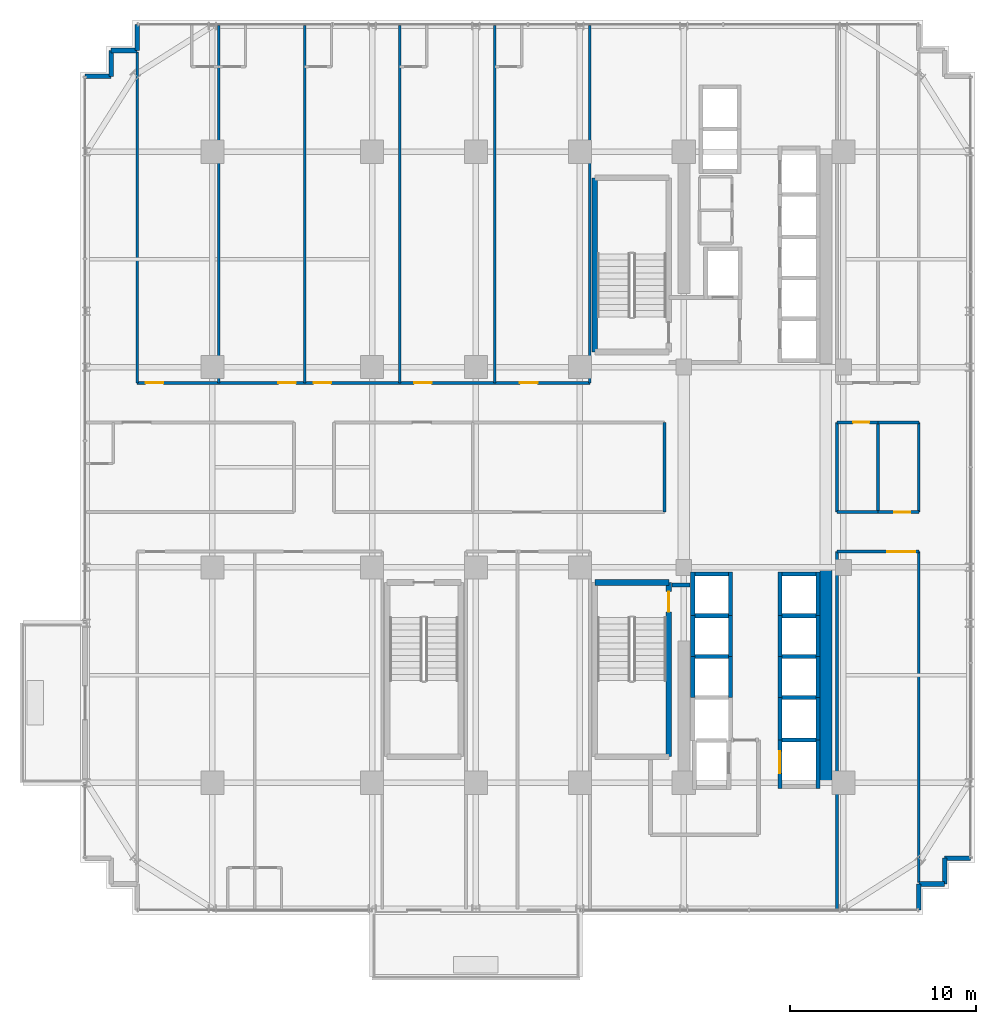
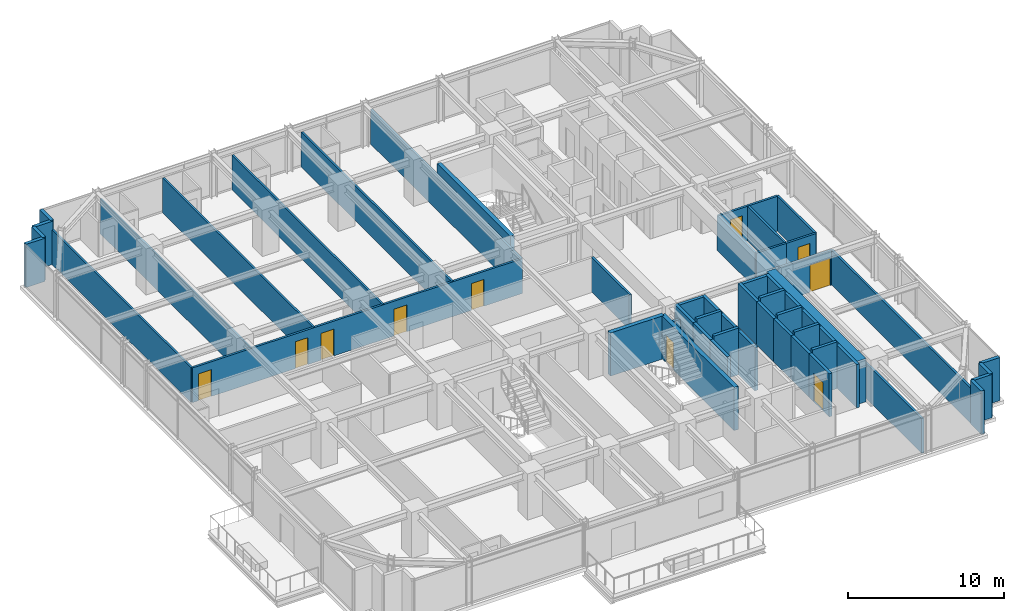
# One storey, part 26 of 31: 55 walls, 10 doors, 10 openings.
"""IFC4 building model written with IfcOpenShell, lengths in metres."""

from ifc_helpers import new_model, si_unit, direction, frame, frame_2d, origin, place, context, subcontext, project, spatial, rectangle, extrude, source, transform, mapped, material, layer, layer_set, type_object, element, fill, save


model = new_model("IFC4")

# Units and contexts
model_context = context("Model", 3, precision=1e-05, world=origin(), true_north=direction((0.0, 1.0)))
body_context = subcontext(model_context, "Body", "Model", "MODEL_VIEW")
ifc_project = project(units=[si_unit("LENGTHUNIT", "METRE"), si_unit("AREAUNIT", "SQUARE_METRE"), si_unit("VOLUMEUNIT", "CUBIC_METRE"), si_unit("PLANEANGLEUNIT", "RADIAN"), si_unit("MASSUNIT", "GRAM", prefix="KILO")], contexts=[model_context])

# Site, building, storey
site_placement = place(None, origin())
site = spatial("IfcSite", under=ifc_project, at=site_placement, CompositionType="ELEMENT")
building_placement = place(site_placement, origin())
building = spatial("IfcBuilding", under=site, at=building_placement, Name="Nahalor Promenade Grand Hotel", CompositionType="ELEMENT")
storey_placement = place(building_placement, frame((0.0, 0.0, 95.60009765625)))
storey = spatial("IfcBuildingStorey", under=building, at=storey_placement, Name="L23", CompositionType="ELEMENT", Elevation=95.60009765625)

# Walls
ifc_material_1 = material(Name="Concrete B-60 (C50/60)", Category="concrete")
ifc_layer_1 = layer(ifc_material_1, 0.64990234375)
ifc_layer_set_1 = layer_set([ifc_layer_1], Name="Concrete B-60 (C50/60)")
wall_type_1 = type_object("IfcWallType", Name="Wall-CoreShear-650", PredefinedType="SHEAR", material=ifc_layer_set_1)
shared_shape_1 = source(origin(), body_context, "Body", "SweptSolid", [
    extrude(rectangle(XDim=11.60009765625, YDim=0.64990234375, at=frame_2d((5.800048828125, 0.0))), origin(), (0.0, 0.0, 1.0), 3.3798828125),
])
wall_1_placement = place(storey_placement, frame((16.050048828125, -17.0, 0.0), z_axis=(0.0, 0.0, 1.0), x_axis=(0.0, 1.0, 0.0)))
element("IfcWall", 1, at=wall_1_placement, inside=storey, type_object=wall_type_1, Name="CWALL-L23-SE", PredefinedType="SHEAR", context=body_context, shape_type="MappedRepresentation", body=[
    mapped(shared_shape_1, transform((0.0, 0.0, 0.0), scale=1.0)),
])
ifc_material_2 = material(Name="Concrete B-50 (C40/50)", Category="concrete")
ifc_layer_2 = layer(ifc_material_2, 0.300048828125)
ifc_layer_set_2 = layer_set([ifc_layer_2], Name="Concrete B-50 (C40/50)")
wall_type_2 = type_object("IfcWallType", Name="Wall-ShaftShear-300", PredefinedType="SHEAR", material=ifc_layer_set_2)
shared_shape_2 = source(origin(), body_context, "Body", "SweptSolid", [
    extrude(rectangle(XDim=3.97998046875, YDim=0.300048828125, at=frame_2d((1.989990234375, 0.0))), origin(), (0.0, 0.0, 1.0), 3.3798828125),
])
wall_2_placement = place(storey_placement, frame((3.610107421875, -6.2099609375, 0.0), z_axis=(0.0, 0.0, 1.0), x_axis=(1.0, 0.0, 0.0)))
element("IfcWall", 2, at=wall_2_placement, inside=storey, type_object=wall_type_2, Name="L23 Exit Stair ST2 Shaft Wall N", PredefinedType="SHEAR", context=body_context, shape_type="MappedRepresentation", body=[
    mapped(shared_shape_2, transform((0.0, 0.0, 0.0), scale=1.0)),
])
shared_shape_3 = source(origin(), body_context, "Body", "SweptSolid", [
    extrude(rectangle(XDim=9.380126953125, YDim=0.300048828125, at=frame_2d((4.68994140625, 0.0))), origin(), (0.0, 0.0, 1.0), 3.3798828125),
])
wall_3_placement = place(storey_placement, frame((3.610107421875, 6.2099609375, 0.0), z_axis=(0.0, 0.0, 1.0), x_axis=(0.0, 1.0, 0.0)))
element("IfcWall", 3, at=wall_3_placement, inside=storey, type_object=wall_type_2, Name="L23 Exit Stair ST1 Shaft Wall W", PredefinedType="SHEAR", context=body_context, shape_type="MappedRepresentation", body=[
    mapped(shared_shape_3, transform((0.0, 0.0, 0.0), scale=1.0)),
])

# Wall, opening, door
wall_4_placement = place(storey_placement, frame((7.590087890625, -15.590087890625, 0.0), z_axis=(0.0, 0.0, 1.0), x_axis=(0.0, 1.0, 0.0)))
wall_4 = element("IfcWall", 4, at=wall_4_placement, inside=storey, type_object=wall_type_2, Name="L23 Exit Stair ST2 Shaft Wall E", PredefinedType="SHEAR", context=body_context, shape_type="MappedRepresentation", body=[
    mapped(shared_shape_3, transform((0.0, 0.0, 0.0), scale=1.0)),
])
opening_1_placement = place(wall_4_placement, frame((7.7900390625, 0.0, 0.0)))
opening_1 = element("IfcOpeningElement", 5, at=opening_1_placement, cuts=wall_4, Name="Opening D-ST1", PredefinedType="OPENING", context=body_context, shape_type="SweptSolid", body=[
    extrude(rectangle(XDim=1.10009765625, YDim=2.14990234375, at=frame_2d((0.550048828125, 1.074951171875))), frame((0.0, 0.159912109375, 0.0), z_axis=(0.0, -1.0, 0.0), x_axis=(1.0, 0.0, 0.0)), (0.0, 0.0, 1.0), 0.320068359375),
])
ifc_material_3 = material(Name="Steel S355JR", Category="steel")
door_type_1 = type_object("IfcDoorType", Name="Door-StairFire-1100", OperationType="NOTDEFINED", PredefinedType="DOOR", material=ifc_material_3)
shared_shape_4 = source(origin(), body_context, "Body", "SweptSolid", [
    extrude(rectangle(XDim=1.10009765625, YDim=2.14990234375, at=frame_2d((0.550048828125, 1.074951171875))), frame((0.0, 0.02490234375, 0.0), z_axis=(0.0, -1.0, 0.0), x_axis=(1.0, 0.0, 0.0)), (0.0, 0.0, 1.0), 0.050048828125),
])
door_1_placement = place(opening_1_placement, origin())
door_1 = element("IfcDoor", 6, at=door_1_placement, inside=storey, type_object=door_type_1, Name="DR-STAIR-ST2-L23", OperationType="SINGLE_SWING_RIGHT", OverallHeight=2.14990234375, OverallWidth=1.10009765625, PredefinedType="DOOR", context=body_context, shape_type="MappedRepresentation", body=[
    mapped(shared_shape_4, transform((0.0, 0.0, 0.0), scale=1.0)),
])
fill(opening_1, door_1)

# Walls
ifc_layer_3 = layer(ifc_material_2, 0.219970703125)
ifc_layer_set_3 = layer_set([ifc_layer_3], Name="Concrete B-50 (C40/50)")
wall_type_3 = type_object("IfcWallType", Name="Wall-LiftShaft-220", PredefinedType="SHEAR", material=ifc_layer_set_3)
shared_shape_5 = source(origin(), body_context, "Body", "SweptSolid", [
    extrude(rectangle(XDim=1.820068359375, YDim=0.219970703125, at=frame_2d((0.91015625, 0.0))), origin(), (0.0, 0.0, 1.0), 3.64990234375),
])
for number, where, z_axis, x_axis, name in (
    (7, (13.68994140625, -8.0, 0.0), (0.0, 0.0, 1.0), (1.0, 0.0, 0.0), "L23 Lift PL6 Hoistway Wall N"),
    (8, (13.68994140625, -10.199951171875, 0.0), (0.0, 0.0, 1.0), (1.0, 0.0, 0.0), "L23 Lift PL7 Hoistway Wall N"),
    (9, (13.68994140625, -12.39990234375, 0.0), (0.0, 0.0, 1.0), (1.0, 0.0, 0.0), "L23 Lift PL8 Hoistway Wall N"),
    (10, (8.989990234375, -8.0, 0.0), (0.0, 0.0, 1.0), (1.0, 0.0, 0.0), "L23 Lift PL10 Hoistway Wall N"),
    (11, (8.989990234375, -10.199951171875, 0.0), (0.0, 0.0, 1.0), (1.0, 0.0, 0.0), "L23 Lift PL11 Hoistway Wall N"),
    (12, (13.68994140625, -14.699951171875, 0.0), (0.0, 0.0, 1.0), (1.0, 0.0, 0.0), "L23 Lift SV2 Hoistway Wall N"),
):
    element("IfcWall", number, at=place(storey_placement, frame(where, z_axis=z_axis, x_axis=x_axis)), inside=storey, type_object=wall_type_3, Name=name, PredefinedType="SHEAR", context=body_context, shape_type="MappedRepresentation", body=[
        mapped(shared_shape_5, transform((0.0, 0.0, 0.0), scale=1.0)),
    ])
shared_shape_6 = source(origin(), body_context, "Body", "SweptSolid", [
    extrude(rectangle(XDim=2.360107421875, YDim=0.219970703125, at=frame_2d((1.18017578125, 0.0))), origin(), (0.0, 0.0, 1.0), 3.3798828125),
])
for number, where, z_axis, x_axis, name in (
    (13, (13.580078125, -8.0, 0.0), (0.0, 0.0, 1.0), (0.0, 1.0, 0.0), "L23 Lift PL5 Hoistway Wall W"),
    (14, (15.6201171875, -8.0, 0.0), (0.0, 0.0, 1.0), (0.0, 1.0, 0.0), "L23 Lift PL5 Hoistway Wall E"),
    (15, (8.8798828125, -8.0, 0.0), (0.0, 0.0, 1.0), (0.0, 1.0, 0.0), "L23 Lift PL9 Hoistway Wall W"),
    (16, (10.919921875, -8.0, 0.0), (0.0, 0.0, 1.0), (0.0, 1.0, 0.0), "L23 Lift PL9 Hoistway Wall E"),
):
    element("IfcWall", number, at=place(storey_placement, frame(where, z_axis=z_axis, x_axis=x_axis)), inside=storey, type_object=wall_type_3, Name=name, PredefinedType="SHEAR", context=body_context, shape_type="MappedRepresentation", body=[
        mapped(shared_shape_6, transform((0.0, 0.0, 0.0), scale=1.0)),
    ])
shared_shape_7 = source(origin(), body_context, "Body", "SweptSolid", [
    extrude(rectangle(XDim=1.820068359375, YDim=0.219970703125, at=frame_2d((0.91015625, 0.0))), origin(), (0.0, 0.0, 1.0), 3.3798828125),
])
for number, where, z_axis, x_axis, name in (
    (17, (13.68994140625, -5.75, 0.0), (0.0, 0.0, 1.0), (1.0, 0.0, 0.0), "L23 Lift PL5 Hoistway Wall N"),
    (18, (8.989990234375, -5.75, 0.0), (0.0, 0.0, 1.0), (1.0, 0.0, 0.0), "L23 Lift PL9 Hoistway Wall N"),
):
    element("IfcWall", number, at=place(storey_placement, frame(where, z_axis=z_axis, x_axis=x_axis)), inside=storey, type_object=wall_type_3, Name=name, PredefinedType="SHEAR", context=body_context, shape_type="MappedRepresentation", body=[
        mapped(shared_shape_7, transform((0.0, 0.0, 0.0), scale=1.0)),
    ])
shared_shape_8 = source(origin(), body_context, "Body", "SweptSolid", [
    extrude(rectangle(XDim=2.199951171875, YDim=0.219970703125, at=frame_2d((1.10009765625, 0.0))), origin(), (0.0, 0.0, 1.0), 3.3798828125),
])
for number, where, z_axis, x_axis, name in (
    (19, (13.580078125, -10.199951171875, 0.0), (0.0, 0.0, 1.0), (0.0, 1.0, 0.0), "L23 Lift PL6 Hoistway Wall W"),
    (20, (15.6201171875, -10.199951171875, 0.0), (0.0, 0.0, 1.0), (0.0, 1.0, 0.0), "L23 Lift PL6 Hoistway Wall E"),
    (21, (13.580078125, -12.39990234375, 0.0), (0.0, 0.0, 1.0), (0.0, 1.0, 0.0), "L23 Lift PL7 Hoistway Wall W"),
    (22, (15.6201171875, -12.39990234375, 0.0), (0.0, 0.0, 1.0), (0.0, 1.0, 0.0), "L23 Lift PL7 Hoistway Wall E"),
    (23, (8.8798828125, -10.199951171875, 0.0), (0.0, 0.0, 1.0), (0.0, 1.0, 0.0), "L23 Lift PL10 Hoistway Wall W"),
    (24, (10.919921875, -10.199951171875, 0.0), (0.0, 0.0, 1.0), (0.0, 1.0, 0.0), "L23 Lift PL10 Hoistway Wall E"),
    (25, (8.8798828125, -12.39990234375, 0.0), (0.0, 0.0, 1.0), (0.0, 1.0, 0.0), "L23 Lift PL11 Hoistway Wall W"),
    (26, (10.919921875, -12.39990234375, 0.0), (0.0, 0.0, 1.0), (0.0, 1.0, 0.0), "L23 Lift PL11 Hoistway Wall E"),
):
    element("IfcWall", number, at=place(storey_placement, frame(where, z_axis=z_axis, x_axis=x_axis)), inside=storey, type_object=wall_type_3, Name=name, PredefinedType="SHEAR", context=body_context, shape_type="MappedRepresentation", body=[
        mapped(shared_shape_8, transform((0.0, 0.0, 0.0), scale=1.0)),
    ])
shared_shape_9 = source(origin(), body_context, "Body", "SweptSolid", [
    extrude(rectangle(XDim=2.300048828125, YDim=0.219970703125, at=frame_2d((1.14990234375, 0.0))), origin(), (0.0, 0.0, 1.0), 3.3798828125),
])
for number, where, z_axis, x_axis, name in (
    (27, (13.580078125, -14.699951171875, 0.0), (0.0, 0.0, 1.0), (0.0, 1.0, 0.0), "L23 Lift PL8 Hoistway Wall W"),
    (28, (15.6201171875, -14.699951171875, 0.0), (0.0, 0.0, 1.0), (0.0, 1.0, 0.0), "L23 Lift PL8 Hoistway Wall E"),
):
    element("IfcWall", number, at=place(storey_placement, frame(where, z_axis=z_axis, x_axis=x_axis)), inside=storey, type_object=wall_type_3, Name=name, PredefinedType="SHEAR", context=body_context, shape_type="MappedRepresentation", body=[
        mapped(shared_shape_9, transform((0.0, 0.0, 0.0), scale=1.0)),
    ])

# Wall, opening, door
shared_shape_10 = source(origin(), body_context, "Body", "SweptSolid", [
    extrude(rectangle(XDim=2.610107421875, YDim=0.219970703125, at=frame_2d((1.30517578125, 0.0))), origin(), (0.0, 0.0, 1.0), 3.3798828125),
])
wall_5_placement = place(storey_placement, frame((13.580078125, -17.31005859375, 0.0), z_axis=(0.0, 0.0, 1.0), x_axis=(0.0, 1.0, 0.0)))
wall_5 = element("IfcWall", 29, at=wall_5_placement, inside=storey, type_object=wall_type_3, Name="L23 Lift SV2 Hoistway Wall W", PredefinedType="SHEAR", context=body_context, shape_type="MappedRepresentation", body=[
    mapped(shared_shape_10, transform((0.0, 0.0, 0.0), scale=1.0)),
])
opening_2_placement = place(wall_5_placement, frame((0.81005859375, 0.0, 0.0)))
opening_2 = element("IfcOpeningElement", 30, at=opening_2_placement, cuts=wall_5, Name="Opening LD-03", PredefinedType="OPENING", context=body_context, shape_type="SweptSolid", body=[
    extrude(rectangle(XDim=1.199951171875, YDim=2.199951171875, at=frame_2d((0.60009765625, 1.10009765625))), frame((0.0, 0.119873046875, 0.0), z_axis=(0.0, -1.0, 0.0), x_axis=(1.0, 0.0, 0.0)), (0.0, 0.0, 1.0), 0.239990234375),
])
door_type_2 = type_object("IfcDoorType", Name="Door-LiftService-1200", OperationType="DOUBLE_DOOR_SLIDING", PredefinedType="DOOR", material=ifc_material_3)
shared_shape_11 = source(origin(), body_context, "Body", "SweptSolid", [
    extrude(rectangle(XDim=1.199951171875, YDim=2.199951171875, at=frame_2d((0.60009765625, 1.10009765625))), frame((0.0, 0.02490234375, 0.0), z_axis=(0.0, -1.0, 0.0), x_axis=(1.0, 0.0, 0.0)), (0.0, 0.0, 1.0), 0.050048828125),
])
door_2_placement = place(opening_2_placement, origin())
door_2 = element("IfcDoor", 31, at=door_2_placement, inside=storey, type_object=door_type_2, Name="DR-LIFT-SV2-L23", OperationType="DOUBLE_DOOR_SLIDING", OverallHeight=2.199951171875, OverallWidth=1.199951171875, PredefinedType="DOOR", context=body_context, shape_type="MappedRepresentation", body=[
    mapped(shared_shape_11, transform((0.0, 0.0, 0.0), scale=1.0)),
])
fill(opening_2, door_2)

# Walls
wall_6_placement = place(storey_placement, frame((15.6201171875, -17.31005859375, 0.0), z_axis=(0.0, 0.0, 1.0), x_axis=(0.0, 1.0, 0.0)))
element("IfcWall", 32, at=wall_6_placement, inside=storey, type_object=wall_type_3, Name="L23 Lift SV2 Hoistway Wall E", PredefinedType="SHEAR", context=body_context, shape_type="MappedRepresentation", body=[
    mapped(shared_shape_10, transform((0.0, 0.0, 0.0), scale=1.0)),
])
ifc_material_4 = material(Name="Concrete B-40 (C32/40)", Category="concrete")
ifc_layer_4 = layer(ifc_material_4, 0.25)
ifc_layer_set_4 = layer_set([ifc_layer_4], Name="Concrete B-40 (C32/40)")
wall_type_4 = type_object("IfcWallType", Name="Wall-BronzePier-250", PredefinedType="STANDARD", material=ifc_layer_set_4)
shared_shape_12 = source(origin(), body_context, "Body", "SweptSolid", [
    extrude(rectangle(XDim=1.400146484375, YDim=0.25, at=frame_2d((0.7001953125, 0.0))), origin(), (0.0, 0.0, 1.0), 3.3798828125),
])
for number, where, z_axis, x_axis, name in (
    (33, (21.06005859375, -23.860107421875, 0.0), (0.0, 0.0, 1.0), (0.0, 1.0, 0.0), "W-L23-SR-01"),
    (34, (22.4599609375, -21.06005859375, 0.0), (0.0, 0.0, 1.0), (1.0, 0.0, 0.0), "W-L23-SR-04"),
    (35, (-21.06005859375, 22.4599609375, 0.0), (0.0, 0.0, 1.0), (0.0, 1.0, 0.0), "W-L23-SR-09"),
    (36, (-23.860107421875, 21.06005859375, 0.0), (0.0, 0.0, 1.0), (1.0, 0.0, 0.0), "W-L23-SR-12"),
):
    element("IfcWall", number, at=place(storey_placement, frame(where, z_axis=z_axis, x_axis=x_axis)), inside=storey, type_object=wall_type_4, Name=name, PredefinedType="STANDARD", context=body_context, shape_type="MappedRepresentation", body=[
        mapped(shared_shape_12, transform((0.0, 0.0, 0.0), scale=1.0)),
    ])
shared_shape_13 = source(origin(), body_context, "Body", "SweptSolid", [
    extrude(rectangle(XDim=1.39990234375, YDim=0.25, at=frame_2d((0.699951171875, 0.0))), origin(), (0.0, 0.0, 1.0), 3.3798828125),
])
for number, where, z_axis, x_axis, name in (
    (37, (21.06005859375, -22.4599609375, 0.0), (0.0, 0.0, 1.0), (1.0, 0.0, 0.0), "W-L23-SR-02"),
    (38, (22.4599609375, -22.4599609375, 0.0), (0.0, 0.0, 1.0), (0.0, 1.0, 0.0), "W-L23-SR-03"),
    (39, (-22.4599609375, 22.4599609375, 0.0), (0.0, 0.0, 1.0), (1.0, 0.0, 0.0), "W-L23-SR-10"),
    (40, (-22.4599609375, 21.06005859375, 0.0), (0.0, 0.0, 1.0), (0.0, 1.0, 0.0), "W-L23-SR-11"),
):
    element("IfcWall", number, at=place(storey_placement, frame(where, z_axis=z_axis, x_axis=x_axis)), inside=storey, type_object=wall_type_4, Name=name, PredefinedType="STANDARD", context=body_context, shape_type="MappedRepresentation", body=[
        mapped(shared_shape_13, transform((0.0, 0.0, 0.0), scale=1.0)),
    ])
ifc_layer_5 = layer(ifc_material_4, 0.199951171875)
ifc_layer_set_5 = layer_set([ifc_layer_5], Name="Concrete B-40 (C32/40)")
wall_type_5 = type_object("IfcWallType", Name="Wall-PartFire-200", PredefinedType="PARTITIONING", material=ifc_layer_set_5)
shared_shape_14 = source(origin(), body_context, "Body", "SweptSolid", [
    extrude(rectangle(XDim=0.969970703125, YDim=0.199951171875, at=frame_2d((0.48486328125, 0.0))), origin(), (0.0, 0.0, 1.0), 2.719970703125),
])
wall_7_placement = place(storey_placement, frame((7.77001953125, -6.35009765625, 0.0), z_axis=(0.0, 0.0, 1.0), x_axis=(1.0, 0.0, 0.0)))
element("IfcWall", 41, at=wall_7_placement, inside=storey, type_object=wall_type_5, Name="W-L23-FF2-N2", PredefinedType="PARTITIONING", context=body_context, shape_type="MappedRepresentation", body=[
    mapped(shared_shape_14, transform((0.0, 0.0, 0.0), scale=1.0)),
])

# Wall, opening, door
ifc_material_5 = material(Name="Acoustic Mineral Gypsum", Category="gypsum")
ifc_layer_6 = layer(ifc_material_5, 0.159912109375)
ifc_layer_set_6 = layer_set([ifc_layer_6], Name="Acoustic Mineral Gypsum")
wall_type_6 = type_object("IfcWallType", Name="Wall-PartCorridor-160", PredefinedType="PARTITIONING", material=ifc_layer_set_6)
shared_shape_15 = source(origin(), body_context, "Body", "SweptSolid", [
    extrude(rectangle(XDim=4.41015625, YDim=0.159912109375, at=frame_2d((2.205078125, 0.0))), origin(), (0.0, 0.0, 1.0), 2.719970703125),
])
wall_8_placement = place(storey_placement, frame((16.64990234375, -4.550048828125, 0.0), z_axis=(0.0, 0.0, 1.0), x_axis=(1.0, 0.0, 0.0)))
wall_8 = element("IfcWall", 42, at=wall_8_placement, inside=storey, type_object=wall_type_6, Name="W-L23-ESE-N", PredefinedType="PARTITIONING", context=body_context, shape_type="MappedRepresentation", body=[
    mapped(shared_shape_15, transform((0.0, 0.0, 0.0), scale=1.0)),
])
opening_3_placement = place(wall_8_placement, frame((2.721923828125, 0.0, 0.0)))
opening_3 = element("IfcOpeningElement", 43, at=opening_3_placement, cuts=wall_8, Name="Opening D-02", PredefinedType="OPENING", context=body_context, shape_type="SweptSolid", body=[
    extrude(rectangle(XDim=1.5, YDim=2.14990234375, at=frame_2d((0.75, 1.074951171875))), frame((0.0, 0.08984375, 0.0), z_axis=(0.0, -1.0, 0.0), x_axis=(1.0, 0.0, 0.0)), (0.0, 0.0, 1.0), 0.179931640625),
])
ifc_material_6 = material(Name="Fire-Rated Timber Composite", Category="wood")
door_type_3 = type_object("IfcDoorType", Name="Door-SuiteDouble-1500", OperationType="DOUBLE_DOOR_SINGLE_SWING", PredefinedType="DOOR", material=ifc_material_6)
shared_shape_16 = source(origin(), body_context, "Body", "SweptSolid", [
    extrude(rectangle(XDim=1.5, YDim=2.14990234375, at=frame_2d((0.75, 1.074951171875))), frame((0.0, 0.02490234375, 0.0), z_axis=(0.0, -1.0, 0.0), x_axis=(1.0, 0.0, 0.0)), (0.0, 0.0, 1.0), 0.050048828125),
])
door_3_placement = place(opening_3_placement, frame((1.5, 0.0, 0.0), z_axis=(0.0, 0.0, 1.0), x_axis=(-1.0, 0.0, 0.0)))
door_3 = element("IfcDoor", 44, at=door_3_placement, inside=storey, type_object=door_type_3, Name="DR-L23-ESE", OperationType="DOUBLE_DOOR_SINGLE_SWING", OverallHeight=2.14990234375, OverallWidth=1.5, PredefinedType="DOOR", context=body_context, shape_type="MappedRepresentation", body=[
    mapped(shared_shape_16, transform((0.0, 0.0, 0.0), scale=1.0)),
])
fill(opening_3, door_3)

# Walls
shared_shape_17 = source(origin(), body_context, "Body", "SweptSolid", [
    extrude(rectangle(XDim=19.25, YDim=0.159912109375, at=frame_2d((9.625, 0.0))), origin(), (0.0, 0.0, 1.0), 2.719970703125),
])
wall_9_placement = place(storey_placement, frame((16.64990234375, -23.800048828125, 0.0), z_axis=(0.0, 0.0, 1.0), x_axis=(0.0, 1.0, 0.0)))
element("IfcWall", 45, at=wall_9_placement, inside=storey, type_object=wall_type_6, Name="W-L23-ESE-W", PredefinedType="PARTITIONING", context=body_context, shape_type="MappedRepresentation", body=[
    mapped(shared_shape_17, transform((0.0, 0.0, 0.0), scale=1.0)),
])
shared_shape_18 = source(origin(), body_context, "Body", "SweptSolid", [
    extrude(rectangle(XDim=17.829833984375, YDim=0.159912109375, at=frame_2d((8.9150390625, 0.0))), origin(), (0.0, 0.0, 1.0), 2.719970703125),
])
wall_10_placement = place(storey_placement, frame((21.06005859375, -22.3798828125, 0.0), z_axis=(0.0, 0.0, 1.0), x_axis=(0.0, 1.0, 0.0)))
element("IfcWall", 46, at=wall_10_placement, inside=storey, type_object=wall_type_6, Name="W-L23-ESE-E", PredefinedType="PARTITIONING", context=body_context, shape_type="MappedRepresentation", body=[
    mapped(shared_shape_18, transform((0.0, 0.0, 0.0), scale=1.0)),
])

# Wall, openings, doors
shared_shape_19 = source(origin(), body_context, "Body", "SweptSolid", [
    extrude(rectangle(XDim=24.400146484375, YDim=0.159912109375, at=frame_2d((12.2001953125, 0.0))), origin(), (0.0, 0.0, 1.0), 2.719970703125),
])
wall_11_placement = place(storey_placement, frame((-21.06005859375, 4.550048828125, 0.0), z_axis=(0.0, 0.0, 1.0), x_axis=(1.0, 0.0, 0.0)))
wall_11 = element("IfcWall", 47, at=wall_11_placement, inside=storey, type_object=wall_type_6, Name="W-L23-CORR-N", PredefinedType="PARTITIONING", context=body_context, shape_type="MappedRepresentation", body=[
    mapped(shared_shape_19, transform((0.0, 0.0, 0.0), scale=1.0)),
])
opening_4_placement = place(wall_11_placement, frame((0.4619140625, 0.0, 0.0)))
opening_4 = element("IfcOpeningElement", 48, at=opening_4_placement, cuts=wall_11, Name="Opening D-01", PredefinedType="OPENING", context=body_context, shape_type="SweptSolid", body=[
    extrude(rectangle(XDim=0.949951171875, YDim=2.10009765625, at=frame_2d((0.47509765625, 1.050048828125))), frame((0.0, 0.08984375, 0.0), z_axis=(0.0, -1.0, 0.0), x_axis=(1.0, 0.0, 0.0)), (0.0, 0.0, 1.0), 0.179931640625),
])
opening_5_placement = place(wall_11_placement, frame((7.610107421875, 0.0, 0.0)))
opening_5 = element("IfcOpeningElement", 49, at=opening_5_placement, cuts=wall_11, Name="Opening D-01", PredefinedType="OPENING", context=body_context, shape_type="SweptSolid", body=[
    extrude(rectangle(XDim=0.949951171875, YDim=2.10009765625, at=frame_2d((0.47509765625, 1.050048828125))), frame((0.0, 0.08984375, 0.0), z_axis=(0.0, -1.0, 0.0), x_axis=(1.0, 0.0, 0.0)), (0.0, 0.0, 1.0), 0.179931640625),
])
opening_6_placement = place(wall_11_placement, frame((9.506103515625, 0.0, 0.0)))
opening_6 = element("IfcOpeningElement", 50, at=opening_6_placement, cuts=wall_11, Name="Opening D-01", PredefinedType="OPENING", context=body_context, shape_type="SweptSolid", body=[
    extrude(rectangle(XDim=0.949951171875, YDim=2.10009765625, at=frame_2d((0.47509765625, 1.050048828125))), frame((0.0, 0.08984375, 0.0), z_axis=(0.0, -1.0, 0.0), x_axis=(1.0, 0.0, 0.0)), (0.0, 0.0, 1.0), 0.179931640625),
])
opening_7_placement = place(wall_11_placement, frame((14.923095703125, 0.0, 0.0)))
opening_7 = element("IfcOpeningElement", 51, at=opening_7_placement, cuts=wall_11, Name="Opening D-01", PredefinedType="OPENING", context=body_context, shape_type="SweptSolid", body=[
    extrude(rectangle(XDim=0.949951171875, YDim=2.10009765625, at=frame_2d((0.47509765625, 1.050048828125))), frame((0.0, 0.08984375, 0.0), z_axis=(0.0, -1.0, 0.0), x_axis=(1.0, 0.0, 0.0)), (0.0, 0.0, 1.0), 0.179931640625),
])
opening_8_placement = place(wall_11_placement, frame((20.632080078125, 0.0, 0.0)))
opening_8 = element("IfcOpeningElement", 52, at=opening_8_placement, cuts=wall_11, Name="Opening D-01", PredefinedType="OPENING", context=body_context, shape_type="SweptSolid", body=[
    extrude(rectangle(XDim=0.949951171875, YDim=2.10009765625, at=frame_2d((0.47509765625, 1.050048828125))), frame((0.0, 0.08984375, 0.0), z_axis=(0.0, -1.0, 0.0), x_axis=(1.0, 0.0, 0.0)), (0.0, 0.0, 1.0), 0.179931640625),
])
door_type_4 = type_object("IfcDoorType", Name="Door-GuestEntry-950", OperationType="NOTDEFINED", PredefinedType="DOOR", material=ifc_material_6)
shared_shape_20 = source(origin(), body_context, "Body", "SweptSolid", [
    extrude(rectangle(XDim=0.949951171875, YDim=2.10009765625, at=frame_2d((0.47509765625, 1.050048828125))), frame((0.0, 0.02490234375, 0.0), z_axis=(0.0, -1.0, 0.0), x_axis=(1.0, 0.0, 0.0)), (0.0, 0.0, 1.0), 0.050048828125),
])
door_4_placement = place(opening_4_placement, origin())
door_4 = element("IfcDoor", 53, at=door_4_placement, inside=storey, type_object=door_type_4, Name="DR-L23-N1-ENT", OperationType="SINGLE_SWING_RIGHT", OverallHeight=2.10009765625, OverallWidth=0.949951171875, PredefinedType="DOOR", context=body_context, shape_type="MappedRepresentation", body=[
    mapped(shared_shape_20, transform((0.0, 0.0, 0.0), scale=1.0)),
])
fill(opening_4, door_4)
door_5_placement = place(opening_5_placement, origin())
door_5 = element("IfcDoor", 54, at=door_5_placement, inside=storey, type_object=door_type_4, Name="DR-L23-N2-ENT", OperationType="SINGLE_SWING_RIGHT", OverallHeight=2.10009765625, OverallWidth=0.949951171875, PredefinedType="DOOR", context=body_context, shape_type="MappedRepresentation", body=[
    mapped(shared_shape_20, transform((0.0, 0.0, 0.0), scale=1.0)),
])
fill(opening_5, door_5)
door_6_placement = place(opening_6_placement, origin())
door_6 = element("IfcDoor", 55, at=door_6_placement, inside=storey, type_object=door_type_4, Name="DR-L23-N3-ENT", OperationType="SINGLE_SWING_RIGHT", OverallHeight=2.10009765625, OverallWidth=0.949951171875, PredefinedType="DOOR", context=body_context, shape_type="MappedRepresentation", body=[
    mapped(shared_shape_20, transform((0.0, 0.0, 0.0), scale=1.0)),
])
fill(opening_6, door_6)
door_7_placement = place(opening_7_placement, origin())
door_7 = element("IfcDoor", 56, at=door_7_placement, inside=storey, type_object=door_type_4, Name="DR-L23-N4-ENT", OperationType="SINGLE_SWING_RIGHT", OverallHeight=2.10009765625, OverallWidth=0.949951171875, PredefinedType="DOOR", context=body_context, shape_type="MappedRepresentation", body=[
    mapped(shared_shape_20, transform((0.0, 0.0, 0.0), scale=1.0)),
])
fill(opening_7, door_7)
door_8_placement = place(opening_8_placement, origin())
door_8 = element("IfcDoor", 57, at=door_8_placement, inside=storey, type_object=door_type_4, Name="DR-L23-N5-ENT", OperationType="SINGLE_SWING_RIGHT", OverallHeight=2.10009765625, OverallWidth=0.949951171875, PredefinedType="DOOR", context=body_context, shape_type="MappedRepresentation", body=[
    mapped(shared_shape_20, transform((0.0, 0.0, 0.0), scale=1.0)),
])
fill(opening_8, door_8)

# Walls
ifc_layer_7 = layer(ifc_material_5, 0.139892578125)
ifc_layer_set_7 = layer_set([ifc_layer_7], Name="Acoustic Mineral Gypsum")
wall_type_7 = type_object("IfcWallType", Name="Wall-PartSuite-140", PredefinedType="PARTITIONING", material=ifc_layer_set_7)
shared_shape_21 = source(origin(), body_context, "Body", "SweptSolid", [
    extrude(rectangle(XDim=17.829833984375, YDim=0.139892578125, at=frame_2d((8.9150390625, 0.0))), origin(), (0.0, 0.0, 1.0), 2.719970703125),
])
wall_12_placement = place(storey_placement, frame((-21.06005859375, 4.550048828125, 0.0), z_axis=(0.0, 0.0, 1.0), x_axis=(0.0, 1.0, 0.0)))
element("IfcWall", 58, at=wall_12_placement, inside=storey, type_object=wall_type_7, Name="W-L23-NW-ENDW", PredefinedType="PARTITIONING", context=body_context, shape_type="MappedRepresentation", body=[
    mapped(shared_shape_21, transform((0.0, 0.0, 0.0), scale=1.0)),
])
shared_shape_22 = source(origin(), body_context, "Body", "SweptSolid", [
    extrude(rectangle(XDim=19.25, YDim=0.139892578125, at=frame_2d((9.625, 0.0))), origin(), (0.0, 0.0, 1.0), 2.719970703125),
])
for number, where, z_axis, x_axis, name in (
    (59, (3.340087890625, 4.550048828125, 0.0), (0.0, 0.0, 1.0), (0.0, 1.0, 0.0), "W-L23-NW-ENDE"),
    (60, (-16.66796875, 4.550048828125, 0.0), (0.0, 0.0, 1.0), (0.0, 1.0, 0.0), "W-L23-NP-1"),
    (61, (-12.031982421875, 4.550048828125, 0.0), (0.0, 0.0, 1.0), (0.0, 1.0, 0.0), "W-L23-NP-2"),
    (62, (-6.907958984375, 4.550048828125, 0.0), (0.0, 0.0, 1.0), (0.0, 1.0, 0.0), "W-L23-NP-3"),
    (63, (-1.783935546875, 4.550048828125, 0.0), (0.0, 0.0, 1.0), (0.0, 1.0, 0.0), "W-L23-NP-4"),
):
    element("IfcWall", number, at=place(storey_placement, frame(where, z_axis=z_axis, x_axis=x_axis)), inside=storey, type_object=wall_type_7, Name=name, PredefinedType="PARTITIONING", context=body_context, shape_type="MappedRepresentation", body=[
        mapped(shared_shape_22, transform((0.0, 0.0, 0.0), scale=1.0)),
    ])
shared_shape_23 = source(origin(), body_context, "Body", "SweptSolid", [
    extrude(rectangle(XDim=4.83984375, YDim=0.159912109375, at=frame_2d((2.419921875, 0.0))), origin(), (0.0, 0.0, 1.0), 2.719970703125),
])
for number, where, z_axis, x_axis, name in (
    (64, (7.35009765625, -2.419921875, 0.0), (0.0, 0.0, 1.0), (0.0, 1.0, 0.0), "W-L23-CM2-E"),
    (65, (16.64990234375, -2.419921875, 0.0), (0.0, 0.0, 1.0), (0.0, 1.0, 0.0), "W-L23-ECW1-W"),
    (66, (18.85498046875, -2.419921875, 0.0), (0.0, 0.0, 1.0), (0.0, 1.0, 0.0), "W-L23-ECW1-E"),
    (67, (21.06005859375, -2.419921875, 0.0), (0.0, 0.0, 1.0), (0.0, 1.0, 0.0), "W-L23-ECW2-E"),
):
    element("IfcWall", number, at=place(storey_placement, frame(where, z_axis=z_axis, x_axis=x_axis)), inside=storey, type_object=wall_type_6, Name=name, PredefinedType="PARTITIONING", context=body_context, shape_type="MappedRepresentation", body=[
        mapped(shared_shape_23, transform((0.0, 0.0, 0.0), scale=1.0)),
    ])
shared_shape_24 = source(origin(), body_context, "Body", "SweptSolid", [
    extrude(rectangle(XDim=2.205078125, YDim=0.159912109375, at=frame_2d((1.1025390625, 0.0))), origin(), (0.0, 0.0, 1.0), 2.719970703125),
])
wall_13_placement = place(storey_placement, frame((16.64990234375, -2.419921875, 0.0), z_axis=(0.0, 0.0, 1.0), x_axis=(1.0, 0.0, 0.0)))
element("IfcWall", 68, at=wall_13_placement, inside=storey, type_object=wall_type_6, Name="W-L23-ECW1-S", PredefinedType="PARTITIONING", context=body_context, shape_type="MappedRepresentation", body=[
    mapped(shared_shape_24, transform((0.0, 0.0, 0.0), scale=1.0)),
])

# Wall, opening, door
wall_14_placement = place(storey_placement, frame((16.64990234375, 2.419921875, 0.0), z_axis=(0.0, 0.0, 1.0), x_axis=(1.0, 0.0, 0.0)))
wall_14 = element("IfcWall", 69, at=wall_14_placement, inside=storey, type_object=wall_type_6, Name="W-L23-ECW1-N", PredefinedType="PARTITIONING", context=body_context, shape_type="MappedRepresentation", body=[
    mapped(shared_shape_24, transform((0.0, 0.0, 0.0), scale=1.0)),
])
opening_9_placement = place(wall_14_placement, frame((0.875, 0.0, 0.0)))
opening_9 = element("IfcOpeningElement", 70, at=opening_9_placement, cuts=wall_14, Name="Opening D-03", PredefinedType="OPENING", context=body_context, shape_type="SweptSolid", body=[
    extrude(rectangle(XDim=0.8798828125, YDim=2.10009765625, at=frame_2d((0.43994140625, 1.050048828125))), frame((0.0, 0.08984375, 0.0), z_axis=(0.0, -1.0, 0.0), x_axis=(1.0, 0.0, 0.0)), (0.0, 0.0, 1.0), 0.179931640625),
])
door_type_5 = type_object("IfcDoorType", Name="Door-BathSwing-880", OperationType="NOTDEFINED", PredefinedType="DOOR", material=ifc_material_6)
shared_shape_25 = source(origin(), body_context, "Body", "SweptSolid", [
    extrude(rectangle(XDim=0.8798828125, YDim=2.10009765625, at=frame_2d((0.43994140625, 1.050048828125))), frame((0.0, 0.02490234375, 0.0), z_axis=(0.0, -1.0, 0.0), x_axis=(1.0, 0.0, 0.0)), (0.0, 0.0, 1.0), 0.050048828125),
])
door_9_placement = place(opening_9_placement, frame((0.8798828125, 0.0, 0.0), z_axis=(0.0, 0.0, 1.0), x_axis=(-1.0, 0.0, 0.0)))
door_9 = element("IfcDoor", 71, at=door_9_placement, inside=storey, type_object=door_type_5, Name="DR-L23-ECW1", OperationType="SINGLE_SWING_LEFT", OverallHeight=2.10009765625, OverallWidth=0.8798828125, PredefinedType="DOOR", context=body_context, shape_type="MappedRepresentation", body=[
    mapped(shared_shape_25, transform((0.0, 0.0, 0.0), scale=1.0)),
])
fill(opening_9, door_9)

wall_15_placement = place(storey_placement, frame((18.85498046875, -2.419921875, 0.0), z_axis=(0.0, 0.0, 1.0), x_axis=(1.0, 0.0, 0.0)))
wall_15 = element("IfcWall", 72, at=wall_15_placement, inside=storey, type_object=wall_type_6, Name="W-L23-ECW2-S", PredefinedType="PARTITIONING", context=body_context, shape_type="MappedRepresentation", body=[
    mapped(shared_shape_24, transform((0.0, 0.0, 0.0), scale=1.0)),
])
opening_10_placement = place(wall_15_placement, frame((0.875, 0.0, 0.0)))
opening_10 = element("IfcOpeningElement", 73, at=opening_10_placement, cuts=wall_15, Name="Opening D-03", PredefinedType="OPENING", context=body_context, shape_type="SweptSolid", body=[
    extrude(rectangle(XDim=0.8798828125, YDim=2.10009765625, at=frame_2d((0.43994140625, 1.050048828125))), frame((0.0, 0.08984375, 0.0), z_axis=(0.0, -1.0, 0.0), x_axis=(1.0, 0.0, 0.0)), (0.0, 0.0, 1.0), 0.179931640625),
])
door_10_placement = place(opening_10_placement, origin())
door_10 = element("IfcDoor", 74, at=door_10_placement, inside=storey, type_object=door_type_5, Name="DR-L23-ECW2", OperationType="SINGLE_SWING_RIGHT", OverallHeight=2.10009765625, OverallWidth=0.8798828125, PredefinedType="DOOR", context=body_context, shape_type="MappedRepresentation", body=[
    mapped(shared_shape_25, transform((0.0, 0.0, 0.0), scale=1.0)),
])
fill(opening_10, door_10)

# Wall
wall_16_placement = place(storey_placement, frame((18.85498046875, 2.419921875, 0.0), z_axis=(0.0, 0.0, 1.0), x_axis=(1.0, 0.0, 0.0)))
element("IfcWall", 75, at=wall_16_placement, inside=storey, type_object=wall_type_6, Name="W-L23-ECW2-N", PredefinedType="PARTITIONING", context=body_context, shape_type="MappedRepresentation", body=[
    mapped(shared_shape_24, transform((0.0, 0.0, 0.0), scale=1.0)),
])

save(model, "model.ifc")
